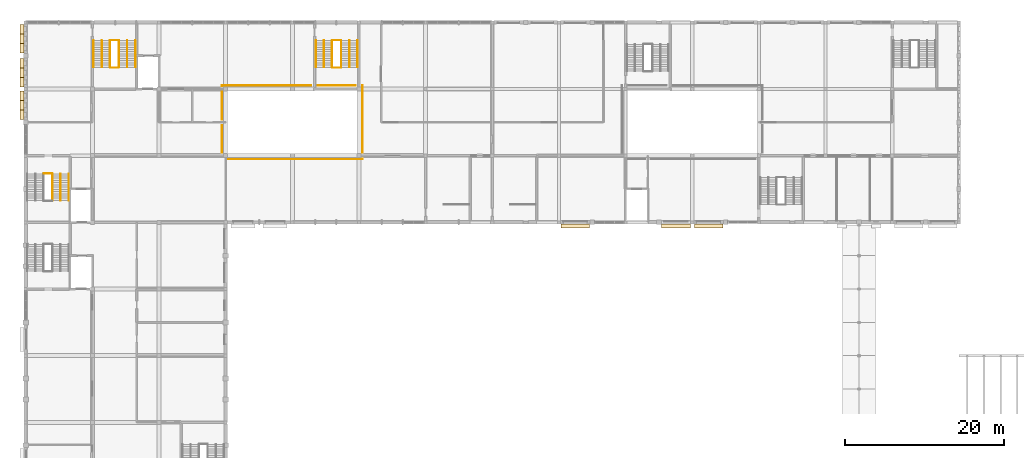
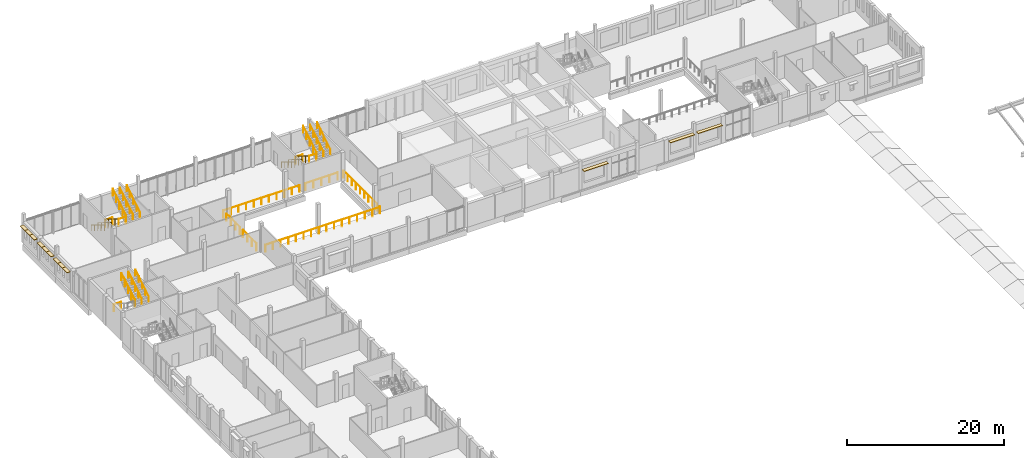
# One storey, part 36 of 38: 26 railings, 12 coverings.
"""IFC4 building model written with IfcOpenShell, lengths in metres."""

from ifc_helpers import new_model, si_unit, direction, frame, origin, origin_2d, place, context, subcontext, project, spatial, rectangle, circle, extrude, material, layer, layer_set, type_object, element, save


model = new_model("IFC4")

# Units and contexts
model_context = context("Model", 3, precision=1e-05, world=origin(), true_north=direction((0.0, 1.0)))
body_context = subcontext(model_context, "Body", "Model", "MODEL_VIEW")
ifc_project = project(units=[si_unit("LENGTHUNIT", "METRE"), si_unit("AREAUNIT", "SQUARE_METRE"), si_unit("VOLUMEUNIT", "CUBIC_METRE"), si_unit("PLANEANGLEUNIT", "RADIAN"), si_unit("MASSUNIT", "GRAM", prefix="KILO")], contexts=[model_context])

# Site, building, storey
site_placement = place(None, origin())
site = spatial("IfcSite", under=ifc_project, at=site_placement, CompositionType="ELEMENT")
building_placement = place(site_placement, origin())
building = spatial("IfcBuilding", under=site, at=building_placement, Name="Fescue Hill Polytechnic", CompositionType="ELEMENT")
storey_placement = place(building_placement, frame((0.0, 0.0, 18.0)))
storey = spatial("IfcBuildingStorey", under=building, at=storey_placement, Name="L04", CompositionType="ELEMENT", Elevation=18.0)

# Coverings
ifc_material_1 = material(Name="Precast concrete C40/50", Category="concrete")
ifc_layer = layer(ifc_material_1, 0.080078125)
ifc_layer_set = layer_set([ifc_layer], Name="Precast concrete C40/50")
covering_type = type_object("IfcCoveringType", Name="Shade blade precast 500x80", PredefinedType="CLADDING", material=ifc_layer_set)
for number, where, z_axis, x_axis, name in (
    (1, (-0.4599609375, 133.550048828125, 2.849853515625), (0.0, 0.0, 1.0), (0.0, -1.0, 0.0), "SB-L04-V5-3"),
    (2, (-0.4599609375, 132.35009765625, 2.849853515625), (0.0, 0.0, 1.0), (0.0, -1.0, 0.0), "SB-L04-V5-4"),
    (3, (-0.4599609375, 131.14990234375, 2.849853515625), (0.0, 0.0, 1.0), (0.0, -1.0, 0.0), "SB-L04-V5-5"),
    (4, (-0.4599609375, 129.25, 2.849853515625), (0.0, 0.0, 1.0), (0.0, -1.0, 0.0), "SB-L04-V5-6"),
    (5, (-0.4599609375, 128.050048828125, 2.849853515625), (0.0, 0.0, 1.0), (0.0, -1.0, 0.0), "SB-L04-V5-7"),
    (6, (-0.4599609375, 126.85009765625, 2.849853515625), (0.0, 0.0, 1.0), (0.0, -1.0, 0.0), "SB-L04-V5-8"),
    (7, (-0.4599609375, 125.14990234375, 2.849853515625), (0.0, 0.0, 1.0), (0.0, -1.0, 0.0), "SB-L04-V5-9"),
    (8, (-0.4599609375, 123.949951171875, 2.849853515625), (0.0, 0.0, 1.0), (0.0, -1.0, 0.0), "SB-L04-V5-10"),
    (9, (-0.4599609375, 122.75, 2.849853515625), (0.0, 0.0, 1.0), (0.0, -1.0, 0.0), "SB-L04-V5-11"),
):
    element("IfcCovering", number, at=place(storey_placement, frame(where, z_axis=z_axis, x_axis=x_axis)), inside=storey, type_object=covering_type, Name=name, PredefinedType="CLADDING", context=body_context, shape_type="SweptSolid", body=[
        extrude(rectangle(XDim=1.199951171875, YDim=0.5, at=origin_2d()), origin(), (0.0, 0.0, 1.0), 0.080078125),
    ])
for number, where, z_axis, x_axis, name in (
    (10, (69.25, 108.72509765625, 3.050048828125), (0.0, 0.0, 1.0), (1.0, 0.0, 0.0), "SB-L04-V4b-1"),
    (11, (81.949951171875, 108.72509765625, 3.050048828125), (0.0, 0.0, 1.0), (1.0, 0.0, 0.0), "SB-L04-V4b-2"),
    (12, (86.050048828125, 108.72509765625, 3.050048828125), (0.0, 0.0, 1.0), (1.0, 0.0, 0.0), "SB-L04-V4b-3"),
):
    element("IfcCovering", number, at=place(storey_placement, frame(where, z_axis=z_axis, x_axis=x_axis)), inside=storey, type_object=covering_type, Name=name, PredefinedType="CLADDING", context=body_context, shape_type="SweptSolid", body=[
        extrude(rectangle(XDim=3.60009765625, YDim=0.5, at=origin_2d()), origin(), (0.0, 0.0, 1.0), 0.080078125),
    ])

# Railings
ifc_material_2 = material(Name="Steel 350W (350 MPa)", Category="steel")
railing_type_1 = type_object("IfcRailingType", Name="Stair guard steel 1100", PredefinedType="GUARDRAIL", material=ifc_material_2)
railing_1_placement = place(storey_placement, frame((3.375, 111.965087890625, 2.423095703125)))
element("IfcRailing", 13, at=railing_1_placement, inside=storey, type_object=railing_type_1, Name="L04 ST-V5-1 stair guard 3", PredefinedType="GUARDRAIL", context=body_context, shape_type="SweptSolid", body=[
    extrude(circle(Radius=0.02392578125, at=origin_2d()), frame((0.0, 0.0, 1.076171875), z_axis=(0.0, 0.850606129759, 0.525803396734), x_axis=(-1.0, 0.0, 0.0)), (0.0, 0.0, 1.0), 3.949951171875),
    extrude(circle(Radius=0.02099609375, at=origin_2d()), origin(), (0.0, 0.0, 1.0), 1.052001953125),
    extrude(circle(Radius=0.02099609375, at=origin_2d()), frame((0.0, 0.83984375, 0.519287109375)), (0.0, 0.0, 1.0), 1.052001953125),
    extrude(circle(Radius=0.02099609375, at=origin_2d()), frame((0.0, 1.679931640625, 1.03857421875)), (0.0, 0.0, 1.0), 1.052001953125),
    extrude(circle(Radius=0.02099609375, at=origin_2d()), frame((0.0, 2.52001953125, 1.5576171875)), (0.0, 0.0, 1.0), 1.052001953125),
    extrude(circle(Radius=0.02099609375, at=origin_2d()), frame((0.0, 3.35986328125, 2.076904296875)), (0.0, 0.0, 1.0), 1.052001953125),
])
railing_2_placement = place(storey_placement, frame((2.300048828125, 115.375, 0.0)))
element("IfcRailing", 14, at=railing_2_placement, inside=storey, type_object=railing_type_1, Name="L04 ST-V5-1 stair guard 4", PredefinedType="GUARDRAIL", context=body_context, shape_type="SweptSolid", body=[
    extrude(circle(Radius=0.02392578125, at=origin_2d()), frame((0.0, 0.0, 1.076171875), z_axis=(1.0, 0.0, 0.0), x_axis=(0.0, 1.0, 0.0)), (0.0, 0.0, 1.0), 1.02490234375),
    extrude(circle(Radius=0.02099609375, at=origin_2d()), origin(), (0.0, 0.0, 1.0), 1.052001953125),
    extrude(circle(Radius=0.02099609375, at=origin_2d()), frame((1.02490234375, 0.0, 0.0)), (0.0, 0.0, 1.0), 1.052001953125),
])
railing_3_placement = place(storey_placement, frame((38.625, 132.10009765625, 0.173095703125)))
element("IfcRailing", 15, at=railing_3_placement, inside=storey, type_object=railing_type_1, Name="L04 ST-V5-2 stair guard 1", PredefinedType="GUARDRAIL", context=body_context, shape_type="SweptSolid", body=[
    extrude(circle(Radius=0.02392578125, at=origin_2d()), frame((0.0, 0.0, 1.076171875), z_axis=(0.0, -0.850623216509, 0.525775754039), x_axis=(1.0, 0.0, 0.0)), (0.0, 0.0, 1.0), 3.9501953125),
    extrude(circle(Radius=0.02099609375, at=origin_2d()), origin(), (0.0, 0.0, 1.0), 1.052001953125),
    extrude(circle(Radius=0.02099609375, at=origin_2d()), frame((0.0, -0.840087890625, 0.519287109375)), (0.0, 0.0, 1.0), 1.052001953125),
    extrude(circle(Radius=0.02099609375, at=origin_2d()), frame((0.0, -1.68017578125, 1.03857421875)), (0.0, 0.0, 1.0), 1.052001953125),
    extrude(circle(Radius=0.02099609375, at=origin_2d()), frame((0.0, -2.52001953125, 1.5576171875)), (0.0, 0.0, 1.0), 1.052001953125),
    extrude(circle(Radius=0.02099609375, at=origin_2d()), frame((0.0, -3.360107421875, 2.076904296875)), (0.0, 0.0, 1.0), 1.052001953125),
])
railing_4_placement = place(storey_placement, frame((38.675048828125, 128.68994140625, 2.25)))
element("IfcRailing", 16, at=railing_4_placement, inside=storey, type_object=railing_type_1, Name="L04 ST-V5-2 stair guard 2", PredefinedType="GUARDRAIL", context=body_context, shape_type="SweptSolid", body=[
    extrude(circle(Radius=0.02392578125, at=origin_2d()), frame((0.0, 0.0, 1.076171875), z_axis=(1.0, 0.0, 0.0), x_axis=(0.0, 1.0, 0.0)), (0.0, 0.0, 1.0), 1.050048828125),
    extrude(circle(Radius=0.02099609375, at=origin_2d()), origin(), (0.0, 0.0, 1.0), 1.052001953125),
    extrude(circle(Radius=0.02099609375, at=origin_2d()), frame((1.050048828125, 0.0, 0.0)), (0.0, 0.0, 1.0), 1.052001953125),
])
railing_5_placement = place(storey_placement, frame((39.77490234375, 128.739990234375, 2.423095703125)))
element("IfcRailing", 17, at=railing_5_placement, inside=storey, type_object=railing_type_1, Name="L04 ST-V5-2 stair guard 3", PredefinedType="GUARDRAIL", context=body_context, shape_type="SweptSolid", body=[
    extrude(circle(Radius=0.02392578125, at=origin_2d()), frame((0.0, 0.0, 1.076171875), z_axis=(0.0, 0.850623216509, 0.525775754039), x_axis=(-1.0, 0.0, 0.0)), (0.0, 0.0, 1.0), 3.9501953125),
    extrude(circle(Radius=0.02099609375, at=origin_2d()), origin(), (0.0, 0.0, 1.0), 1.052001953125),
    extrude(circle(Radius=0.02099609375, at=origin_2d()), frame((0.0, 0.840087890625, 0.519287109375)), (0.0, 0.0, 1.0), 1.052001953125),
    extrude(circle(Radius=0.02099609375, at=origin_2d()), frame((0.0, 1.68017578125, 1.03857421875)), (0.0, 0.0, 1.0), 1.052001953125),
    extrude(circle(Radius=0.02099609375, at=origin_2d()), frame((0.0, 2.52001953125, 1.5576171875)), (0.0, 0.0, 1.0), 1.052001953125),
    extrude(circle(Radius=0.02099609375, at=origin_2d()), frame((0.0, 3.360107421875, 2.076904296875)), (0.0, 0.0, 1.0), 1.052001953125),
])
railing_6_placement = place(storey_placement, frame((38.675048828125, 132.14990234375, 0.0)))
element("IfcRailing", 18, at=railing_6_placement, inside=storey, type_object=railing_type_1, Name="L04 ST-V5-2 stair guard 4", PredefinedType="GUARDRAIL", context=body_context, shape_type="SweptSolid", body=[
    extrude(circle(Radius=0.02392578125, at=origin_2d()), frame((0.0, 0.0, 1.076171875), z_axis=(1.0, 0.0, 0.0), x_axis=(0.0, 1.0, 0.0)), (0.0, 0.0, 1.0), 1.050048828125),
    extrude(circle(Radius=0.02099609375, at=origin_2d()), origin(), (0.0, 0.0, 1.0), 1.052001953125),
    extrude(circle(Radius=0.02099609375, at=origin_2d()), frame((1.050048828125, 0.0, 0.0)), (0.0, 0.0, 1.0), 1.052001953125),
])
railing_7_placement = place(storey_placement, frame((10.625, 132.10009765625, 0.173095703125)))
element("IfcRailing", 19, at=railing_7_placement, inside=storey, type_object=railing_type_1, Name="L04 ST-V5-3 stair guard 1", PredefinedType="GUARDRAIL", context=body_context, shape_type="SweptSolid", body=[
    extrude(circle(Radius=0.02392578125, at=origin_2d()), frame((0.0, 0.0, 1.076171875), z_axis=(0.0, -0.850623216509, 0.525775754039), x_axis=(1.0, 0.0, 0.0)), (0.0, 0.0, 1.0), 3.9501953125),
    extrude(circle(Radius=0.02099609375, at=origin_2d()), origin(), (0.0, 0.0, 1.0), 1.052001953125),
    extrude(circle(Radius=0.02099609375, at=origin_2d()), frame((0.0, -0.840087890625, 0.519287109375)), (0.0, 0.0, 1.0), 1.052001953125),
    extrude(circle(Radius=0.02099609375, at=origin_2d()), frame((0.0, -1.68017578125, 1.03857421875)), (0.0, 0.0, 1.0), 1.052001953125),
    extrude(circle(Radius=0.02099609375, at=origin_2d()), frame((0.0, -2.52001953125, 1.5576171875)), (0.0, 0.0, 1.0), 1.052001953125),
    extrude(circle(Radius=0.02099609375, at=origin_2d()), frame((0.0, -3.360107421875, 2.076904296875)), (0.0, 0.0, 1.0), 1.052001953125),
])
railing_8_placement = place(storey_placement, frame((10.675048828125, 128.68994140625, 2.25)))
element("IfcRailing", 20, at=railing_8_placement, inside=storey, type_object=railing_type_1, Name="L04 ST-V5-3 stair guard 2", PredefinedType="GUARDRAIL", context=body_context, shape_type="SweptSolid", body=[
    extrude(circle(Radius=0.02392578125, at=origin_2d()), frame((0.0, 0.0, 1.076171875), z_axis=(1.0, 0.0, 0.0), x_axis=(0.0, 1.0, 0.0)), (0.0, 0.0, 1.0), 1.050048828125),
    extrude(circle(Radius=0.02099609375, at=origin_2d()), origin(), (0.0, 0.0, 1.0), 1.052001953125),
    extrude(circle(Radius=0.02099609375, at=origin_2d()), frame((1.050048828125, 0.0, 0.0)), (0.0, 0.0, 1.0), 1.052001953125),
])
railing_9_placement = place(storey_placement, frame((11.77490234375, 128.739990234375, 2.423095703125)))
element("IfcRailing", 21, at=railing_9_placement, inside=storey, type_object=railing_type_1, Name="L04 ST-V5-3 stair guard 3", PredefinedType="GUARDRAIL", context=body_context, shape_type="SweptSolid", body=[
    extrude(circle(Radius=0.02392578125, at=origin_2d()), frame((0.0, 0.0, 1.076171875), z_axis=(0.0, 0.850623216509, 0.525775754039), x_axis=(-1.0, 0.0, 0.0)), (0.0, 0.0, 1.0), 3.9501953125),
    extrude(circle(Radius=0.02099609375, at=origin_2d()), origin(), (0.0, 0.0, 1.0), 1.052001953125),
    extrude(circle(Radius=0.02099609375, at=origin_2d()), frame((0.0, 0.840087890625, 0.519287109375)), (0.0, 0.0, 1.0), 1.052001953125),
    extrude(circle(Radius=0.02099609375, at=origin_2d()), frame((0.0, 1.68017578125, 1.03857421875)), (0.0, 0.0, 1.0), 1.052001953125),
    extrude(circle(Radius=0.02099609375, at=origin_2d()), frame((0.0, 2.52001953125, 1.5576171875)), (0.0, 0.0, 1.0), 1.052001953125),
    extrude(circle(Radius=0.02099609375, at=origin_2d()), frame((0.0, 3.360107421875, 2.076904296875)), (0.0, 0.0, 1.0), 1.052001953125),
])
railing_10_placement = place(storey_placement, frame((10.675048828125, 132.14990234375, 0.0)))
element("IfcRailing", 22, at=railing_10_placement, inside=storey, type_object=railing_type_1, Name="L04 ST-V5-3 stair guard 4", PredefinedType="GUARDRAIL", context=body_context, shape_type="SweptSolid", body=[
    extrude(circle(Radius=0.02392578125, at=origin_2d()), frame((0.0, 0.0, 1.076171875), z_axis=(1.0, 0.0, 0.0), x_axis=(0.0, 1.0, 0.0)), (0.0, 0.0, 1.0), 1.050048828125),
    extrude(circle(Radius=0.02099609375, at=origin_2d()), origin(), (0.0, 0.0, 1.0), 1.052001953125),
    extrude(circle(Radius=0.02099609375, at=origin_2d()), frame((1.050048828125, 0.0, 0.0)), (0.0, 0.0, 1.0), 1.052001953125),
])
railing_type_2 = type_object("IfcRailingType", Name="Stair handrail steel 900", PredefinedType="HANDRAIL", material=ifc_material_2)
for number, where, name in (
    (23, (5.425048828125, 111.965087890625, 2.423095703125), "L04 ST-V5-1 stair handrail 2"),
    (24, (4.39990234375, 111.965087890625, 2.423095703125), "L04 ST-V5-1 stair handrail 4"),
):
    element("IfcRailing", number, at=place(storey_placement, frame(where)), inside=storey, type_object=railing_type_2, Name=name, PredefinedType="HANDRAIL", context=body_context, shape_type="SweptSolid", body=[
        extrude(circle(Radius=0.02392578125, at=origin_2d()), frame((0.0, 0.0, 0.8759765625), z_axis=(0.0, 0.850606129759, 0.525803396734), x_axis=(-1.0, 0.0, 0.0)), (0.0, 0.0, 1.0), 3.949951171875),
        extrude(circle(Radius=0.02099609375, at=origin_2d()), origin(), (0.0, 0.0, 1.0), 0.851806640625),
        extrude(circle(Radius=0.02099609375, at=origin_2d()), frame((0.0, 0.83984375, 0.519287109375)), (0.0, 0.0, 1.0), 0.851806640625),
        extrude(circle(Radius=0.02099609375, at=origin_2d()), frame((0.0, 1.679931640625, 1.03857421875)), (0.0, 0.0, 1.0), 0.851806640625),
        extrude(circle(Radius=0.02099609375, at=origin_2d()), frame((0.0, 2.52001953125, 1.5576171875)), (0.0, 0.0, 1.0), 0.851806640625),
        extrude(circle(Radius=0.02099609375, at=origin_2d()), frame((0.0, 3.35986328125, 2.076904296875)), (0.0, 0.0, 1.0), 0.851806640625),
    ])
railing_11_placement = place(storey_placement, frame((36.574951171875, 132.10009765625, 0.173095703125)))
element("IfcRailing", 25, at=railing_11_placement, inside=storey, type_object=railing_type_2, Name="L04 ST-V5-2 stair handrail 1", PredefinedType="HANDRAIL", context=body_context, shape_type="SweptSolid", body=[
    extrude(circle(Radius=0.02392578125, at=origin_2d()), frame((0.0, 0.0, 0.8759765625), z_axis=(0.0, -0.850623216509, 0.525775754039), x_axis=(1.0, 0.0, 0.0)), (0.0, 0.0, 1.0), 3.9501953125),
    extrude(circle(Radius=0.02099609375, at=origin_2d()), origin(), (0.0, 0.0, 1.0), 0.851806640625),
    extrude(circle(Radius=0.02099609375, at=origin_2d()), frame((0.0, -0.840087890625, 0.519287109375)), (0.0, 0.0, 1.0), 0.851806640625),
    extrude(circle(Radius=0.02099609375, at=origin_2d()), frame((0.0, -1.68017578125, 1.03857421875)), (0.0, 0.0, 1.0), 0.851806640625),
    extrude(circle(Radius=0.02099609375, at=origin_2d()), frame((0.0, -2.52001953125, 1.5576171875)), (0.0, 0.0, 1.0), 0.851806640625),
    extrude(circle(Radius=0.02099609375, at=origin_2d()), frame((0.0, -3.360107421875, 2.076904296875)), (0.0, 0.0, 1.0), 0.851806640625),
])
railing_12_placement = place(storey_placement, frame((41.824951171875, 128.739990234375, 2.423095703125)))
element("IfcRailing", 26, at=railing_12_placement, inside=storey, type_object=railing_type_2, Name="L04 ST-V5-2 stair handrail 2", PredefinedType="HANDRAIL", context=body_context, shape_type="SweptSolid", body=[
    extrude(circle(Radius=0.02392578125, at=origin_2d()), frame((0.0, 0.0, 0.8759765625), z_axis=(0.0, 0.850623216509, 0.525775754039), x_axis=(-1.0, 0.0, 0.0)), (0.0, 0.0, 1.0), 3.9501953125),
    extrude(circle(Radius=0.02099609375, at=origin_2d()), origin(), (0.0, 0.0, 1.0), 0.851806640625),
    extrude(circle(Radius=0.02099609375, at=origin_2d()), frame((0.0, 0.840087890625, 0.519287109375)), (0.0, 0.0, 1.0), 0.851806640625),
    extrude(circle(Radius=0.02099609375, at=origin_2d()), frame((0.0, 1.68017578125, 1.03857421875)), (0.0, 0.0, 1.0), 0.851806640625),
    extrude(circle(Radius=0.02099609375, at=origin_2d()), frame((0.0, 2.52001953125, 1.5576171875)), (0.0, 0.0, 1.0), 0.851806640625),
    extrude(circle(Radius=0.02099609375, at=origin_2d()), frame((0.0, 3.360107421875, 2.076904296875)), (0.0, 0.0, 1.0), 0.851806640625),
])
railing_13_placement = place(storey_placement, frame((37.60009765625, 132.10009765625, 0.173095703125)))
element("IfcRailing", 27, at=railing_13_placement, inside=storey, type_object=railing_type_2, Name="L04 ST-V5-2 stair handrail 3", PredefinedType="HANDRAIL", context=body_context, shape_type="SweptSolid", body=[
    extrude(circle(Radius=0.02392578125, at=origin_2d()), frame((0.0, 0.0, 0.8759765625), z_axis=(0.0, -0.850623216509, 0.525775754039), x_axis=(1.0, 0.0, 0.0)), (0.0, 0.0, 1.0), 3.9501953125),
    extrude(circle(Radius=0.02099609375, at=origin_2d()), origin(), (0.0, 0.0, 1.0), 0.851806640625),
    extrude(circle(Radius=0.02099609375, at=origin_2d()), frame((0.0, -0.840087890625, 0.519287109375)), (0.0, 0.0, 1.0), 0.851806640625),
    extrude(circle(Radius=0.02099609375, at=origin_2d()), frame((0.0, -1.68017578125, 1.03857421875)), (0.0, 0.0, 1.0), 0.851806640625),
    extrude(circle(Radius=0.02099609375, at=origin_2d()), frame((0.0, -2.52001953125, 1.5576171875)), (0.0, 0.0, 1.0), 0.851806640625),
    extrude(circle(Radius=0.02099609375, at=origin_2d()), frame((0.0, -3.360107421875, 2.076904296875)), (0.0, 0.0, 1.0), 0.851806640625),
])
railing_14_placement = place(storey_placement, frame((40.800048828125, 128.739990234375, 2.423095703125)))
element("IfcRailing", 28, at=railing_14_placement, inside=storey, type_object=railing_type_2, Name="L04 ST-V5-2 stair handrail 4", PredefinedType="HANDRAIL", context=body_context, shape_type="SweptSolid", body=[
    extrude(circle(Radius=0.02392578125, at=origin_2d()), frame((0.0, 0.0, 0.8759765625), z_axis=(0.0, 0.850623216509, 0.525775754039), x_axis=(-1.0, 0.0, 0.0)), (0.0, 0.0, 1.0), 3.9501953125),
    extrude(circle(Radius=0.02099609375, at=origin_2d()), origin(), (0.0, 0.0, 1.0), 0.851806640625),
    extrude(circle(Radius=0.02099609375, at=origin_2d()), frame((0.0, 0.840087890625, 0.519287109375)), (0.0, 0.0, 1.0), 0.851806640625),
    extrude(circle(Radius=0.02099609375, at=origin_2d()), frame((0.0, 1.68017578125, 1.03857421875)), (0.0, 0.0, 1.0), 0.851806640625),
    extrude(circle(Radius=0.02099609375, at=origin_2d()), frame((0.0, 2.52001953125, 1.5576171875)), (0.0, 0.0, 1.0), 0.851806640625),
    extrude(circle(Radius=0.02099609375, at=origin_2d()), frame((0.0, 3.360107421875, 2.076904296875)), (0.0, 0.0, 1.0), 0.851806640625),
])
railing_15_placement = place(storey_placement, frame((8.574951171875, 132.10009765625, 0.173095703125)))
element("IfcRailing", 29, at=railing_15_placement, inside=storey, type_object=railing_type_2, Name="L04 ST-V5-3 stair handrail 1", PredefinedType="HANDRAIL", context=body_context, shape_type="SweptSolid", body=[
    extrude(circle(Radius=0.02392578125, at=origin_2d()), frame((0.0, 0.0, 0.8759765625), z_axis=(0.0, -0.850623216509, 0.525775754039), x_axis=(1.0, 0.0, 0.0)), (0.0, 0.0, 1.0), 3.9501953125),
    extrude(circle(Radius=0.02099609375, at=origin_2d()), origin(), (0.0, 0.0, 1.0), 0.851806640625),
    extrude(circle(Radius=0.02099609375, at=origin_2d()), frame((0.0, -0.840087890625, 0.519287109375)), (0.0, 0.0, 1.0), 0.851806640625),
    extrude(circle(Radius=0.02099609375, at=origin_2d()), frame((0.0, -1.68017578125, 1.03857421875)), (0.0, 0.0, 1.0), 0.851806640625),
    extrude(circle(Radius=0.02099609375, at=origin_2d()), frame((0.0, -2.52001953125, 1.5576171875)), (0.0, 0.0, 1.0), 0.851806640625),
    extrude(circle(Radius=0.02099609375, at=origin_2d()), frame((0.0, -3.360107421875, 2.076904296875)), (0.0, 0.0, 1.0), 0.851806640625),
])
railing_16_placement = place(storey_placement, frame((13.824951171875, 128.739990234375, 2.423095703125)))
element("IfcRailing", 30, at=railing_16_placement, inside=storey, type_object=railing_type_2, Name="L04 ST-V5-3 stair handrail 2", PredefinedType="HANDRAIL", context=body_context, shape_type="SweptSolid", body=[
    extrude(circle(Radius=0.02392578125, at=origin_2d()), frame((0.0, 0.0, 0.8759765625), z_axis=(0.0, 0.850623216509, 0.525775754039), x_axis=(-1.0, 0.0, 0.0)), (0.0, 0.0, 1.0), 3.9501953125),
    extrude(circle(Radius=0.02099609375, at=origin_2d()), origin(), (0.0, 0.0, 1.0), 0.851806640625),
    extrude(circle(Radius=0.02099609375, at=origin_2d()), frame((0.0, 0.840087890625, 0.519287109375)), (0.0, 0.0, 1.0), 0.851806640625),
    extrude(circle(Radius=0.02099609375, at=origin_2d()), frame((0.0, 1.68017578125, 1.03857421875)), (0.0, 0.0, 1.0), 0.851806640625),
    extrude(circle(Radius=0.02099609375, at=origin_2d()), frame((0.0, 2.52001953125, 1.5576171875)), (0.0, 0.0, 1.0), 0.851806640625),
    extrude(circle(Radius=0.02099609375, at=origin_2d()), frame((0.0, 3.360107421875, 2.076904296875)), (0.0, 0.0, 1.0), 0.851806640625),
])
railing_17_placement = place(storey_placement, frame((9.60009765625, 132.10009765625, 0.173095703125)))
element("IfcRailing", 31, at=railing_17_placement, inside=storey, type_object=railing_type_2, Name="L04 ST-V5-3 stair handrail 3", PredefinedType="HANDRAIL", context=body_context, shape_type="SweptSolid", body=[
    extrude(circle(Radius=0.02392578125, at=origin_2d()), frame((0.0, 0.0, 0.8759765625), z_axis=(0.0, -0.850623216509, 0.525775754039), x_axis=(1.0, 0.0, 0.0)), (0.0, 0.0, 1.0), 3.9501953125),
    extrude(circle(Radius=0.02099609375, at=origin_2d()), origin(), (0.0, 0.0, 1.0), 0.851806640625),
    extrude(circle(Radius=0.02099609375, at=origin_2d()), frame((0.0, -0.840087890625, 0.519287109375)), (0.0, 0.0, 1.0), 0.851806640625),
    extrude(circle(Radius=0.02099609375, at=origin_2d()), frame((0.0, -1.68017578125, 1.03857421875)), (0.0, 0.0, 1.0), 0.851806640625),
    extrude(circle(Radius=0.02099609375, at=origin_2d()), frame((0.0, -2.52001953125, 1.5576171875)), (0.0, 0.0, 1.0), 0.851806640625),
    extrude(circle(Radius=0.02099609375, at=origin_2d()), frame((0.0, -3.360107421875, 2.076904296875)), (0.0, 0.0, 1.0), 0.851806640625),
])
railing_18_placement = place(storey_placement, frame((12.800048828125, 128.739990234375, 2.423095703125)))
element("IfcRailing", 32, at=railing_18_placement, inside=storey, type_object=railing_type_2, Name="L04 ST-V5-3 stair handrail 4", PredefinedType="HANDRAIL", context=body_context, shape_type="SweptSolid", body=[
    extrude(circle(Radius=0.02392578125, at=origin_2d()), frame((0.0, 0.0, 0.8759765625), z_axis=(0.0, 0.850623216509, 0.525775754039), x_axis=(-1.0, 0.0, 0.0)), (0.0, 0.0, 1.0), 3.9501953125),
    extrude(circle(Radius=0.02099609375, at=origin_2d()), origin(), (0.0, 0.0, 1.0), 0.851806640625),
    extrude(circle(Radius=0.02099609375, at=origin_2d()), frame((0.0, 0.840087890625, 0.519287109375)), (0.0, 0.0, 1.0), 0.851806640625),
    extrude(circle(Radius=0.02099609375, at=origin_2d()), frame((0.0, 1.68017578125, 1.03857421875)), (0.0, 0.0, 1.0), 0.851806640625),
    extrude(circle(Radius=0.02099609375, at=origin_2d()), frame((0.0, 2.52001953125, 1.5576171875)), (0.0, 0.0, 1.0), 0.851806640625),
    extrude(circle(Radius=0.02099609375, at=origin_2d()), frame((0.0, 3.360107421875, 2.076904296875)), (0.0, 0.0, 1.0), 0.851806640625),
])
railing_type_3 = type_object("IfcRailingType", Name="Void edge guard steel 1100", PredefinedType="GUARDRAIL", material=ifc_material_2)
railing_19_placement = place(storey_placement, frame((42.449951171875, 126.449951171875, 0.0)))
element("IfcRailing", 33, at=railing_19_placement, inside=storey, type_object=railing_type_3, Name="L04 V5 void edge guard 1", PredefinedType="GUARDRAIL", context=body_context, shape_type="SweptSolid", body=[
    extrude(circle(Radius=0.02392578125, at=origin_2d()), frame((0.0, 0.0, 1.076171875), z_axis=(0.0, -1.0, 0.0), x_axis=(1.0, 0.0, 0.0)), (0.0, 0.0, 1.0), 8.474853515625),
    extrude(circle(Radius=0.02099609375, at=origin_2d()), origin(), (0.0, 0.0, 1.0), 1.052001953125),
    extrude(circle(Radius=0.02099609375, at=origin_2d()), frame((0.0, -1.059326171875, 0.0)), (0.0, 0.0, 1.0), 1.052001953125),
    extrude(circle(Radius=0.02099609375, at=origin_2d()), frame((0.0, -2.11865234375, 0.0)), (0.0, 0.0, 1.0), 1.052001953125),
    extrude(circle(Radius=0.02099609375, at=origin_2d()), frame((0.0, -3.177978515625, 0.0)), (0.0, 0.0, 1.0), 1.052001953125),
    extrude(circle(Radius=0.02099609375, at=origin_2d()), frame((0.0, -4.2373046875, 0.0)), (0.0, 0.0, 1.0), 1.052001953125),
    extrude(circle(Radius=0.02099609375, at=origin_2d()), frame((0.0, -5.296875, 0.0)), (0.0, 0.0, 1.0), 1.052001953125),
    extrude(circle(Radius=0.02099609375, at=origin_2d()), frame((0.0, -6.356201171875, 0.0)), (0.0, 0.0, 1.0), 1.052001953125),
    extrude(circle(Radius=0.02099609375, at=origin_2d()), frame((0.0, -7.41552734375, 0.0)), (0.0, 0.0, 1.0), 1.052001953125),
    extrude(circle(Radius=0.02099609375, at=origin_2d()), frame((0.0, -8.474853515625, 0.0)), (0.0, 0.0, 1.0), 1.052001953125),
])
railing_20_placement = place(storey_placement, frame((42.449951171875, 117.22509765625, 0.0)))
element("IfcRailing", 34, at=railing_20_placement, inside=storey, type_object=railing_type_3, Name="L04 V5 void edge guard 2", PredefinedType="GUARDRAIL", context=body_context, shape_type="SweptSolid", body=[
    extrude(circle(Radius=0.02392578125, at=origin_2d()), frame((0.0, 0.0, 1.076171875), z_axis=(0.0, -1.0, 0.0), x_axis=(1.0, 0.0, 0.0)), (0.0, 0.0, 1.0), 0.0751953125),
    extrude(circle(Radius=0.02392578125, at=origin_2d()), frame((0.0, -0.0751953125, 1.076171875), z_axis=(-1.0, 0.0, 0.0), x_axis=(0.0, -1.0, 0.0)), (0.0, 0.0, 1.0), 16.875),
    extrude(circle(Radius=0.02099609375, at=origin_2d()), origin(), (0.0, 0.0, 1.0), 1.052001953125),
    extrude(circle(Radius=0.02099609375, at=origin_2d()), frame((0.0, -0.0751953125, 0.0)), (0.0, 0.0, 1.0), 1.052001953125),
    extrude(circle(Radius=0.02099609375, at=origin_2d()), frame((-1.125, -0.0751953125, 0.0)), (0.0, 0.0, 1.0), 1.052001953125),
    extrude(circle(Radius=0.02099609375, at=origin_2d()), frame((-2.25, -0.0751953125, 0.0)), (0.0, 0.0, 1.0), 1.052001953125),
    extrude(circle(Radius=0.02099609375, at=origin_2d()), frame((-3.375, -0.0751953125, 0.0)), (0.0, 0.0, 1.0), 1.052001953125),
    extrude(circle(Radius=0.02099609375, at=origin_2d()), frame((-4.5, -0.0751953125, 0.0)), (0.0, 0.0, 1.0), 1.052001953125),
    extrude(circle(Radius=0.02099609375, at=origin_2d()), frame((-5.625, -0.0751953125, 0.0)), (0.0, 0.0, 1.0), 1.052001953125),
    extrude(circle(Radius=0.02099609375, at=origin_2d()), frame((-6.75, -0.0751953125, 0.0)), (0.0, 0.0, 1.0), 1.052001953125),
    extrude(circle(Radius=0.02099609375, at=origin_2d()), frame((-7.875, -0.0751953125, 0.0)), (0.0, 0.0, 1.0), 1.052001953125),
    extrude(circle(Radius=0.02099609375, at=origin_2d()), frame((-9.0, -0.0751953125, 0.0)), (0.0, 0.0, 1.0), 1.052001953125),
    extrude(circle(Radius=0.02099609375, at=origin_2d()), frame((-10.125, -0.0751953125, 0.0)), (0.0, 0.0, 1.0), 1.052001953125),
    extrude(circle(Radius=0.02099609375, at=origin_2d()), frame((-11.25, -0.0751953125, 0.0)), (0.0, 0.0, 1.0), 1.052001953125),
    extrude(circle(Radius=0.02099609375, at=origin_2d()), frame((-12.375, -0.0751953125, 0.0)), (0.0, 0.0, 1.0), 1.052001953125),
    extrude(circle(Radius=0.02099609375, at=origin_2d()), frame((-13.5, -0.0751953125, 0.0)), (0.0, 0.0, 1.0), 1.052001953125),
    extrude(circle(Radius=0.02099609375, at=origin_2d()), frame((-14.625, -0.0751953125, 0.0)), (0.0, 0.0, 1.0), 1.052001953125),
    extrude(circle(Radius=0.02099609375, at=origin_2d()), frame((-15.75, -0.0751953125, 0.0)), (0.0, 0.0, 1.0), 1.052001953125),
    extrude(circle(Radius=0.02099609375, at=origin_2d()), frame((-16.875, -0.0751953125, 0.0)), (0.0, 0.0, 1.0), 1.052001953125),
])
for number, where, name in (
    (35, (24.75, 117.97509765625, 0.0), "L04 V5 void edge guard 3"),
    (36, (24.75, 122.175048828125, 0.0), "L04 V5 void edge guard 4"),
):
    element("IfcRailing", number, at=place(storey_placement, frame(where)), inside=storey, type_object=railing_type_3, Name=name, PredefinedType="GUARDRAIL", context=body_context, shape_type="SweptSolid", body=[
        extrude(circle(Radius=0.02392578125, at=origin_2d()), frame((0.0, 0.0, 1.076171875), z_axis=(0.0, 1.0, 0.0), x_axis=(-1.0, 0.0, 0.0)), (0.0, 0.0, 1.0), 3.449951171875),
        extrude(circle(Radius=0.02099609375, at=origin_2d()), origin(), (0.0, 0.0, 1.0), 1.052001953125),
        extrude(circle(Radius=0.02099609375, at=origin_2d()), frame((0.0, 1.14990234375, 0.0)), (0.0, 0.0, 1.0), 1.052001953125),
        extrude(circle(Radius=0.02099609375, at=origin_2d()), frame((0.0, 2.300048828125, 0.0)), (0.0, 0.0, 1.0), 1.052001953125),
        extrude(circle(Radius=0.02099609375, at=origin_2d()), frame((0.0, 3.449951171875, 0.0)), (0.0, 0.0, 1.0), 1.052001953125),
    ])
railing_21_placement = place(storey_placement, frame((24.75, 126.375, 0.0)))
element("IfcRailing", 37, at=railing_21_placement, inside=storey, type_object=railing_type_3, Name="L04 V5 void edge guard 5", PredefinedType="GUARDRAIL", context=body_context, shape_type="SweptSolid", body=[
    extrude(circle(Radius=0.02392578125, at=origin_2d()), frame((0.0, 0.0, 1.076171875), z_axis=(0.0, 1.0, 0.0), x_axis=(-1.0, 0.0, 0.0)), (0.0, 0.0, 1.0), 0.074951171875),
    extrude(circle(Radius=0.02392578125, at=origin_2d()), frame((0.0, 0.074951171875, 1.076171875), z_axis=(1.0, 0.0, 0.0), x_axis=(0.0, 1.0, 0.0)), (0.0, 0.0, 1.0), 11.22509765625),
    extrude(circle(Radius=0.02099609375, at=origin_2d()), origin(), (0.0, 0.0, 1.0), 1.052001953125),
    extrude(circle(Radius=0.02099609375, at=origin_2d()), frame((0.0, 0.074951171875, 0.0)), (0.0, 0.0, 1.0), 1.052001953125),
    extrude(circle(Radius=0.02099609375, at=origin_2d()), frame((1.12255859375, 0.074951171875, 0.0)), (0.0, 0.0, 1.0), 1.052001953125),
    extrude(circle(Radius=0.02099609375, at=origin_2d()), frame((2.2451171875, 0.074951171875, 0.0)), (0.0, 0.0, 1.0), 1.052001953125),
    extrude(circle(Radius=0.02099609375, at=origin_2d()), frame((3.367431640625, 0.074951171875, 0.0)), (0.0, 0.0, 1.0), 1.052001953125),
    extrude(circle(Radius=0.02099609375, at=origin_2d()), frame((4.489990234375, 0.074951171875, 0.0)), (0.0, 0.0, 1.0), 1.052001953125),
    extrude(circle(Radius=0.02099609375, at=origin_2d()), frame((5.612548828125, 0.074951171875, 0.0)), (0.0, 0.0, 1.0), 1.052001953125),
    extrude(circle(Radius=0.02099609375, at=origin_2d()), frame((6.735107421875, 0.074951171875, 0.0)), (0.0, 0.0, 1.0), 1.052001953125),
    extrude(circle(Radius=0.02099609375, at=origin_2d()), frame((7.857666015625, 0.074951171875, 0.0)), (0.0, 0.0, 1.0), 1.052001953125),
    extrude(circle(Radius=0.02099609375, at=origin_2d()), frame((8.97998046875, 0.074951171875, 0.0)), (0.0, 0.0, 1.0), 1.052001953125),
    extrude(circle(Radius=0.02099609375, at=origin_2d()), frame((10.1025390625, 0.074951171875, 0.0)), (0.0, 0.0, 1.0), 1.052001953125),
    extrude(circle(Radius=0.02099609375, at=origin_2d()), frame((11.22509765625, 0.074951171875, 0.0)), (0.0, 0.0, 1.0), 1.052001953125),
])
railing_22_placement = place(storey_placement, frame((36.824951171875, 126.449951171875, 0.0)))
element("IfcRailing", 38, at=railing_22_placement, inside=storey, type_object=railing_type_3, Name="L04 V5 void edge guard 6", PredefinedType="GUARDRAIL", context=body_context, shape_type="SweptSolid", body=[
    extrude(circle(Radius=0.02392578125, at=origin_2d()), frame((0.0, 0.0, 1.076171875), z_axis=(1.0, 0.0, 0.0), x_axis=(0.0, 1.0, 0.0)), (0.0, 0.0, 1.0), 4.75),
    extrude(circle(Radius=0.02099609375, at=origin_2d()), origin(), (0.0, 0.0, 1.0), 1.052001953125),
    extrude(circle(Radius=0.02099609375, at=origin_2d()), frame((1.1875, 0.0, 0.0)), (0.0, 0.0, 1.0), 1.052001953125),
    extrude(circle(Radius=0.02099609375, at=origin_2d()), frame((2.375, 0.0, 0.0)), (0.0, 0.0, 1.0), 1.052001953125),
    extrude(circle(Radius=0.02099609375, at=origin_2d()), frame((3.5625, 0.0, 0.0)), (0.0, 0.0, 1.0), 1.052001953125),
    extrude(circle(Radius=0.02099609375, at=origin_2d()), frame((4.75, 0.0, 0.0)), (0.0, 0.0, 1.0), 1.052001953125),
])

save(model, "model.ifc")
